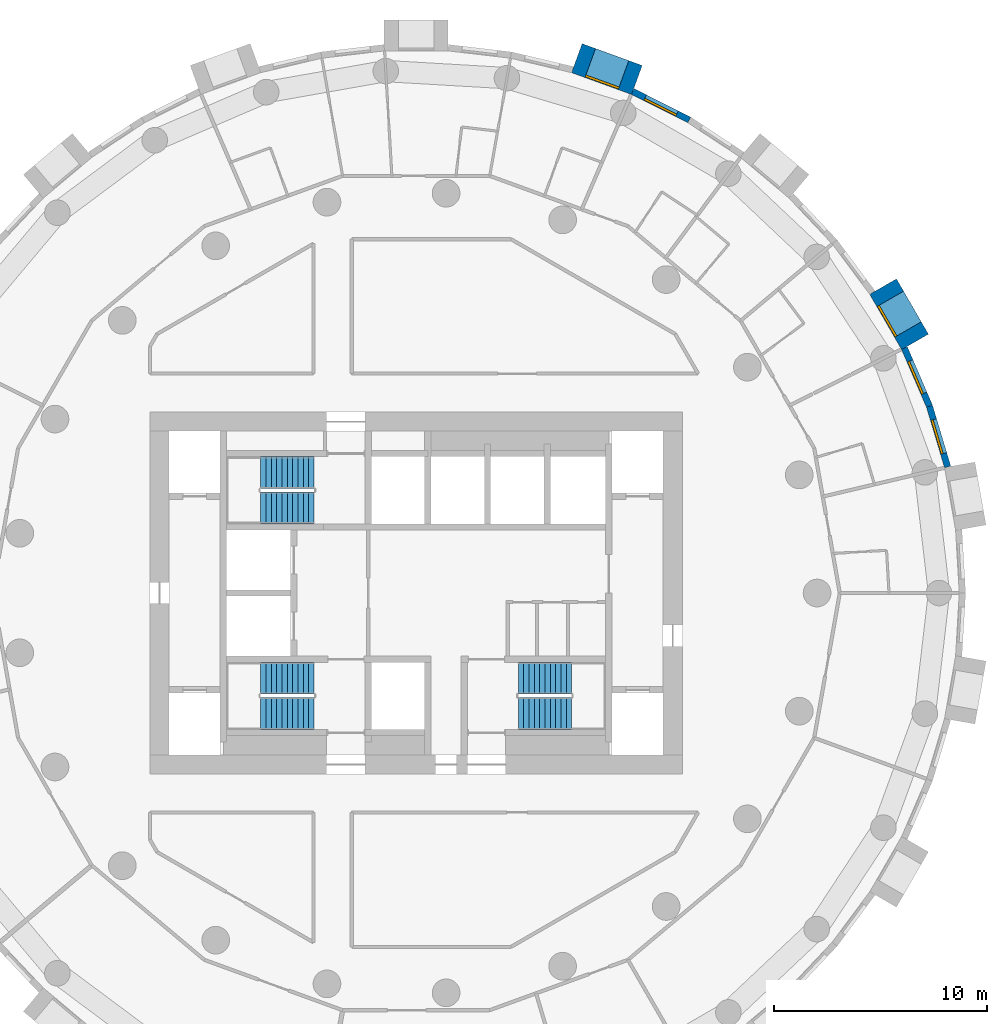
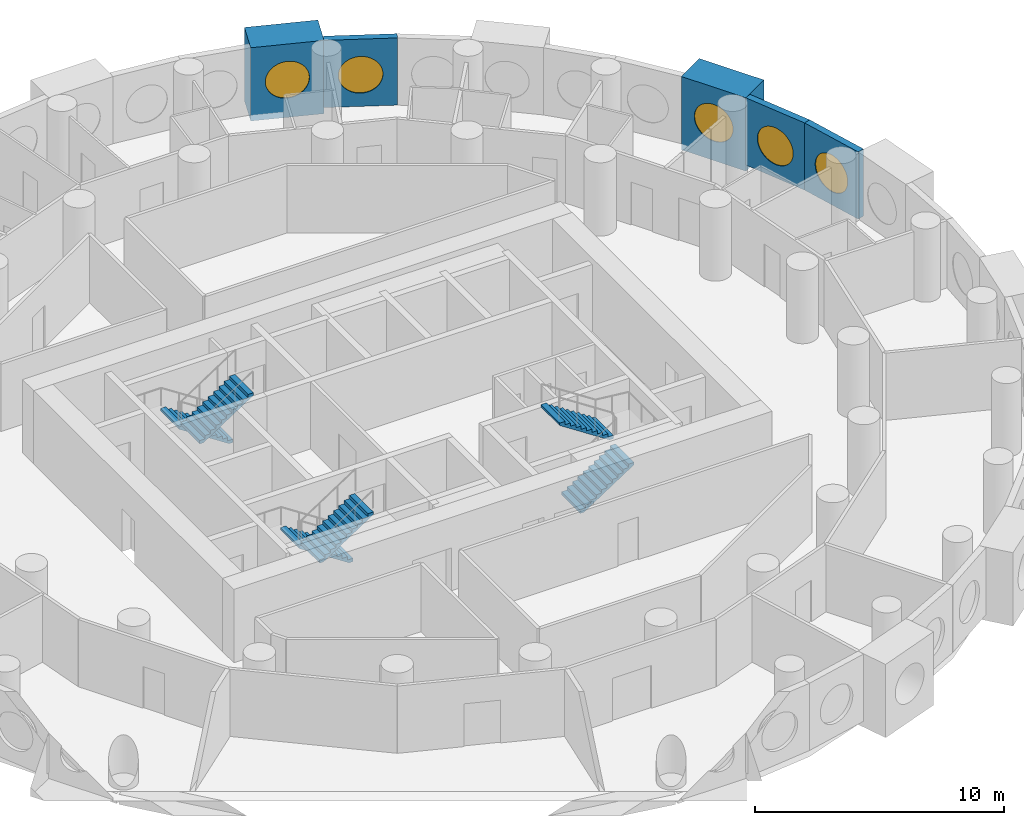
# One storey, part 8 of 9: 6 stair flights, 5 walls, 5 windows, 5 openings, 3 elements without a shape of their own.
"""IFC4 building model written with IfcOpenShell, lengths in metres."""

from ifc_helpers import new_model, si_unit, direction, frame, frame_2d, origin, origin_2d, place, context, subcontext, project, spatial, polyline, rectangle, circle, outline, extrude, material, layer, layer_set, type_object, element, fill, aggregate, save


model = new_model("IFC4")

# Units and contexts
model_context = context("Model", 3, precision=1e-05, world=origin(), true_north=direction((0.0, 1.0)))
body_context = subcontext(model_context, "Body", "Model", "MODEL_VIEW")
ifc_project = project(units=[si_unit("LENGTHUNIT", "METRE"), si_unit("AREAUNIT", "SQUARE_METRE"), si_unit("VOLUMEUNIT", "CUBIC_METRE"), si_unit("PLANEANGLEUNIT", "RADIAN"), si_unit("MASSUNIT", "GRAM", prefix="KILO")], contexts=[model_context])

# Site, building, storey
site_placement = place(None, origin())
site = spatial("IfcSite", under=ifc_project, at=site_placement, CompositionType="ELEMENT")
building_placement = place(site_placement, origin())
building = spatial("IfcBuilding", under=site, at=building_placement, Name="Tracery Tower", CompositionType="ELEMENT")
storey_placement = place(building_placement, frame((0.0, 0.0, 162.0)))
storey = spatial("IfcBuildingStorey", under=building, at=storey_placement, Name="L41", CompositionType="ELEMENT", Elevation=162.0)

# Wall, opening, window
ifc_material_1 = material(Name="Precast concrete C50/60", Category="concrete")
ifc_layer_1 = layer(ifc_material_1, 1.449951171875)
ifc_layer_set_1 = layer_set([ifc_layer_1], Name="Deep-set bay unit 3000 x 3600, slab edge 300")
wall_type_1 = type_object("IfcWallType", Name="Deep-set bay unit 3000 x 3600, slab edge 300", PredefinedType="ELEMENTEDWALL", material=ifc_layer_set_1)
wall_1_placement = place(storey_placement, frame((23.421630859375, 11.79052734375, -0.300048828125), z_axis=(0.0, 0.0, 1.0), x_axis=(-0.499990139034, 0.866031096941, 0.0)))
wall_1 = element("IfcWall", 1, at=wall_1_placement, inside=storey, type_object=wall_type_1, Name="Deep-set bay unit 5 at L41", PredefinedType="ELEMENTEDWALL", context=body_context, shape_type="SweptSolid", body=[
    extrude(rectangle(XDim=3.0, YDim=1.449951171875, at=frame_2d((1.5, 0.0))), origin(), (0.0, 0.0, 1.0), 3.60009765625),
])
opening_1_placement = place(wall_1_placement, frame((1.5, 0.0, 1.85009765625)))
opening_1 = element("IfcOpeningElement", 2, at=opening_1_placement, cuts=wall_1, Name="Opening WN1", PredefinedType="OPENING", context=body_context, shape_type="SweptSolid", body=[
    extrude(circle(Radius=0.9000244140625, at=origin_2d()), frame((0.0, 0.73486328125, 0.0), z_axis=(0.0, -1.0, 0.0), x_axis=(1.0, 0.0, 0.0)), (0.0, 0.0, 1.0), 1.469970703125),
])
ifc_material_2 = material(Name="Aluminium frame with tinted double glazing", Category="aluminium")
window_type = type_object("IfcWindowType", Name="Round window 1800", PartitioningType="SINGLE_PANEL", PredefinedType="WINDOW", material=ifc_material_2)
window_1_placement = place(opening_1_placement, origin())
window_1 = element("IfcWindow", 3, at=window_1_placement, inside=storey, type_object=window_type, Name="Round window 5 at L41", OverallHeight=1.800048828125, OverallWidth=1.800048828125, PartitioningType="SINGLE_PANEL", PredefinedType="WINDOW", context=body_context, shape_type="SweptSolid", body=[
    extrude(circle(Radius=0.9000244140625, at=origin_2d()), frame((0.0, 0.69482421875, 0.0), z_axis=(0.0, -1.0, 0.0), x_axis=(1.0, 0.0, 0.0)), (0.0, 0.0, 1.0), 0.10009765625),
])
fill(opening_1, window_1)

wall_2_placement = place(storey_placement, frame((10.36328125, 24.087158203125, -0.300048828125), z_axis=(0.0, 0.0, 1.0), x_axis=(-0.939686455819, 0.342037080957, 0.0)))
wall_2 = element("IfcWall", 4, at=wall_2_placement, inside=storey, type_object=wall_type_1, Name="Deep-set bay unit 11 at L41", PredefinedType="ELEMENTEDWALL", context=body_context, shape_type="SweptSolid", body=[
    extrude(rectangle(XDim=3.0, YDim=1.449951171875, at=frame_2d((1.5, 0.0))), origin(), (0.0, 0.0, 1.0), 3.60009765625),
])
opening_2_placement = place(wall_2_placement, frame((1.5, 0.0, 1.85009765625)))
opening_2 = element("IfcOpeningElement", 5, at=opening_2_placement, cuts=wall_2, Name="Opening WN1", PredefinedType="OPENING", context=body_context, shape_type="SweptSolid", body=[
    extrude(circle(Radius=0.9000244140625, at=origin_2d()), frame((0.0, 0.73486328125, 0.0), z_axis=(0.0, -1.0, 0.0), x_axis=(1.0, 0.0, 0.0)), (0.0, 0.0, 1.0), 1.469970703125),
])
window_2_placement = place(opening_2_placement, origin())
window_2 = element("IfcWindow", 6, at=window_2_placement, inside=storey, type_object=window_type, Name="Round window 11 at L41", OverallHeight=1.800048828125, OverallWidth=1.800048828125, PartitioningType="SINGLE_PANEL", PredefinedType="WINDOW", context=body_context, shape_type="SweptSolid", body=[
    extrude(circle(Radius=0.9000244140625, at=origin_2d()), frame((0.0, 0.69482421875, 0.0), z_axis=(0.0, -1.0, 0.0), x_axis=(1.0, 0.0, 0.0)), (0.0, 0.0, 1.0), 0.10009765625),
])
fill(opening_2, window_2)

ifc_material_3 = material(Name="Precast concrete C50/60", Category="concrete")
ifc_layer_2 = layer(ifc_material_3, 0.300048828125)
ifc_layer_set_2 = layer_set([ifc_layer_2], Name="Facade panel 3000 x 3300")
wall_type_2 = type_object("IfcWallType", Name="Facade panel 3000 x 3300", PredefinedType="SOLIDWALL", material=ifc_layer_set_2)
wall_3_placement = place(storey_placement, frame((24.953369140625, 5.924072265625, 0.0), z_axis=(0.0, 0.0, 1.0), x_axis=(-0.286782750849, 0.957995643944, 0.0)))
wall_3 = element("IfcWall", 7, at=wall_3_placement, inside=storey, type_object=wall_type_2, Name="Facade panel 3 at L41", PredefinedType="SOLIDWALL", context=body_context, shape_type="SweptSolid", body=[
    extrude(rectangle(XDim=2.97265625, YDim=0.300048828125, at=frame_2d((1.486328125, 0.0))), origin(), (0.0, 0.0, 1.0), 3.300048828125),
])
opening_3_placement = place(wall_3_placement, frame((1.486328125, 0.0, 1.5498046875)))
opening_3 = element("IfcOpeningElement", 8, at=opening_3_placement, cuts=wall_3, Name="Opening WN1", PredefinedType="OPENING", context=body_context, shape_type="SweptSolid", body=[
    extrude(circle(Radius=0.9000244140625, at=origin_2d()), frame((0.0, 0.159912109375, 0.0), z_axis=(0.0, -1.0, 0.0), x_axis=(1.0, 0.0, 0.0)), (0.0, 0.0, 1.0), 0.320068359375),
])
window_3_placement = place(opening_3_placement, origin())
window_3 = element("IfcWindow", 9, at=window_3_placement, inside=storey, type_object=window_type, Name="Round window 3 at L41", OverallHeight=1.800048828125, OverallWidth=1.800048828125, PartitioningType="SINGLE_PANEL", PredefinedType="WINDOW", context=body_context, shape_type="SweptSolid", body=[
    extrude(circle(Radius=0.9000244140625, at=origin_2d()), frame((0.0, 0.1201171875, 0.0), z_axis=(0.0, -1.0, 0.0), x_axis=(1.0, 0.0, 0.0)), (0.0, 0.0, 1.0), 0.10009765625),
])
fill(opening_3, window_3)

wall_4_placement = place(storey_placement, frame((24.100830078125, 8.77197265625, 0.0), z_axis=(0.0, 0.0, 1.0), x_axis=(-0.396148129016, 0.918186614952, 0.0)))
wall_4 = element("IfcWall", 10, at=wall_4_placement, inside=storey, type_object=wall_type_2, Name="Facade panel 4 at L41", PredefinedType="SOLIDWALL", context=body_context, shape_type="SweptSolid", body=[
    extrude(rectangle(XDim=2.972900390625, YDim=0.300048828125, at=frame_2d((1.486328125, 0.0))), origin(), (0.0, 0.0, 1.0), 3.300048828125),
])
opening_4_placement = place(wall_4_placement, frame((1.486328125, 0.0, 1.5498046875)))
opening_4 = element("IfcOpeningElement", 11, at=opening_4_placement, cuts=wall_4, Name="Opening WN1", PredefinedType="OPENING", context=body_context, shape_type="SweptSolid", body=[
    extrude(circle(Radius=0.9000244140625, at=origin_2d()), frame((0.0, 0.159912109375, 0.0), z_axis=(0.0, -1.0, 0.0), x_axis=(1.0, 0.0, 0.0)), (0.0, 0.0, 1.0), 0.320068359375),
])
window_4_placement = place(opening_4_placement, origin())
window_4 = element("IfcWindow", 12, at=window_4_placement, inside=storey, type_object=window_type, Name="Round window 4 at L41", OverallHeight=1.800048828125, OverallWidth=1.800048828125, PartitioningType="SINGLE_PANEL", PredefinedType="WINDOW", context=body_context, shape_type="SweptSolid", body=[
    extrude(circle(Radius=0.9000244140625, at=origin_2d()), frame((0.0, 0.1201171875, 0.0), z_axis=(0.0, -1.0, 0.0), x_axis=(1.0, 0.0, 0.0)), (0.0, 0.0, 1.0), 0.10009765625),
])
fill(opening_4, window_4)

wall_5_placement = place(storey_placement, frame((12.82373046875, 22.21142578125, 0.0), z_axis=(0.0, 0.0, 1.0), x_axis=(-0.893637442555, 0.448789618045, 0.0)))
wall_5 = element("IfcWall", 13, at=wall_5_placement, inside=storey, type_object=wall_type_2, Name="Facade panel 10 at L41", PredefinedType="SOLIDWALL", context=body_context, shape_type="SweptSolid", body=[
    extrude(rectangle(XDim=2.972900390625, YDim=0.300048828125, at=frame_2d((1.486328125, 0.0))), origin(), (0.0, 0.0, 1.0), 3.300048828125),
])
opening_5_placement = place(wall_5_placement, frame((1.486328125, 0.0, 1.5498046875)))
opening_5 = element("IfcOpeningElement", 14, at=opening_5_placement, cuts=wall_5, Name="Opening WN1", PredefinedType="OPENING", context=body_context, shape_type="SweptSolid", body=[
    extrude(circle(Radius=0.9000244140625, at=origin_2d()), frame((0.0, 0.159912109375, 0.0), z_axis=(0.0, -1.0, 0.0), x_axis=(1.0, 0.0, 0.0)), (0.0, 0.0, 1.0), 0.320068359375),
])
window_5_placement = place(opening_5_placement, origin())
window_5 = element("IfcWindow", 15, at=window_5_placement, inside=storey, type_object=window_type, Name="Round window 10 at L41", OverallHeight=1.800048828125, OverallWidth=1.800048828125, PartitioningType="SINGLE_PANEL", PredefinedType="WINDOW", context=body_context, shape_type="SweptSolid", body=[
    extrude(circle(Radius=0.9000244140625, at=origin_2d()), frame((0.0, 0.1201171875, 0.0), z_axis=(0.0, -1.0, 0.0), x_axis=(1.0, 0.0, 0.0)), (0.0, 0.0, 1.0), 0.10009765625),
])
fill(opening_5, window_5)

# Stair, stair flights
ifc_material_4 = material(Name="Concrete C32/40", Category="concrete")
stair_type = type_object("IfcStairType", Name="Core stair 22 risers", PredefinedType="HALF_TURN_STAIR", material=ifc_material_4)
stair_1_placement = place(storey_placement, origin())
stair_1 = element("IfcStair", 16, at=stair_1_placement, inside=storey, type_object=stair_type, Name="L41 stair ST1", PredefinedType="HALF_TURN_STAIR")
ifc_material_5 = material(Name="Concrete C32/40", Category="concrete")
stair_flight_type = type_object("IfcStairFlightType", Name="Core stair flight 11 risers", PredefinedType="STRAIGHT", material=ifc_material_5)
stair_flight_1_placement = place(storey_placement, frame((-4.800048828125, -4.0, 0.0), z_axis=(0.0, 0.0, 1.0), x_axis=(-1.0, 0.0, 0.0)))
stair_flight_1 = element("IfcStairFlight", 17, at=stair_flight_1_placement, type_object=stair_flight_type, Name="ST1 flight 1", NumberOfRisers=11, NumberOfTreads=10, PredefinedType="STRAIGHT", RiserHeight=0.163636364, TreadLength=0.25, context=body_context, shape_type="SweptSolid", body=[
    extrude(outline(polyline([(0.0, 0.0), (0.0, 0.002685546875), (0.0, 0.00537109375), (0.0, 0.008056640625), (0.0, 0.0107421875), (0.0, 0.013427734375), (0.0, 0.01611328125), (0.0, 0.018798828125), (0.0, 0.021484375), (0.0, 0.024169921875), (0.0, 0.02685546875), (0.0, 0.029541015625), (0.0, 0.0322265625), (0.0, 0.034912109375), (0.0, 0.03759765625), (0.0, 0.040283203125), (0.0, 0.04296875), (0.0, 0.045654296875), (0.0, 0.04833984375), (0.0, 0.051025390625), (0.0, 0.0537109375), (0.0, 0.056396484375), (0.0, 0.05908203125), (0.0, 0.061767578125), (0.0, 0.064453125), (0.0, 0.067138671875), (0.0, 0.06982421875), (0.0, 0.072509765625), (0.0, 0.0751953125), (0.0, 0.077880859375), (0.0, 0.08056640625), (0.0, 0.083251953125), (0.0, 0.0859375), (0.0, 0.088623046875), (0.0, 0.09130859375), (0.0, 0.093994140625), (0.0, 0.0966796875), (0.0, 0.099365234375), (0.0, 0.10205078125), (0.0, 0.104736328125), (0.0, 0.107421875), (0.0, 0.10986328125), (0.0, 0.112548828125), (0.0, 0.115234375), (0.0, 0.117919921875), (0.0, 0.12060546875), (0.0, 0.123291015625), (0.0, 0.1259765625), (0.0, 0.128662109375), (0.0, 0.13134765625), (0.0, 0.134033203125), (0.0, 0.13671875), (0.0, 0.139404296875), (0.0, 0.14208984375), (0.0, 0.144775390625), (0.0, 0.1474609375), (0.0, 0.150146484375), (0.0, 0.15283203125), (0.0, 0.155517578125), (0.0, 0.158203125), (0.0, 0.160888671875), (0.0, 0.16357421875), (0.25, 0.16357421875), (0.25, 0.327392578125), (0.5, 0.327392578125), (0.5, 0.490966796875), (0.75, 0.490966796875), (0.75, 0.654541015625), (1.0, 0.654541015625), (1.0, 0.818115234375), (1.25, 0.818115234375), (1.25, 0.98193359375), (1.5, 0.98193359375), (1.5, 1.1455078125), (1.75, 1.1455078125), (1.75, 1.30908203125), (2.0, 1.30908203125), (2.0, 1.47265625), (2.25, 1.47265625), (2.25, 1.636474609375), (2.5, 1.636474609375), (2.5, 1.634521484375), (2.5, 1.63232421875), (2.5, 1.63037109375), (2.5, 1.62841796875), (2.5, 1.62646484375), (2.5, 1.62451171875), (2.5, 1.62255859375), (2.5, 1.62060546875), (2.5, 1.61865234375), (2.5, 1.61669921875), (2.5, 1.61474609375), (2.5, 1.61279296875), (2.5, 1.61083984375), (2.5, 1.60888671875), (2.5, 1.60693359375), (2.5, 1.60498046875), (2.5, 1.60302734375), (2.5, 1.60107421875), (2.5, 1.59912109375), (2.5, 1.59716796875), (2.5, 1.59521484375), (2.5, 1.59326171875), (2.5, 1.59130859375), (2.5, 1.58935546875), (2.5, 1.58740234375), (2.5, 1.58544921875), (2.5, 1.58349609375), (2.5, 1.58154296875), (2.5, 1.57958984375), (2.5, 1.57763671875), (2.5, 1.57568359375), (2.5, 1.573486328125), (2.5, 1.571533203125), (2.5, 1.569580078125), (2.5, 1.567626953125), (2.5, 1.565673828125), (2.5, 1.563720703125), (2.5, 1.561767578125), (2.5, 1.559814453125), (2.5, 1.557861328125), (2.5, 1.555908203125), (2.5, 1.553955078125), (2.5, 1.552001953125), (2.5, 1.550048828125), (2.5, 1.548095703125), (2.5, 1.546142578125), (2.5, 1.544189453125), (2.5, 1.542236328125), (2.5, 1.540283203125), (2.5, 1.538330078125), (2.5, 1.536376953125), (2.5, 1.534423828125), (2.5, 1.532470703125), (2.5, 1.530517578125), (2.5, 1.528564453125), (2.5, 1.526611328125), (2.5, 1.524658203125), (2.5, 1.522705078125), (2.5, 1.520751953125), (2.5, 1.518798828125), (2.5, 1.516845703125), (0.182861328125, 0.0), (0.0, 0.0)])), frame((0.0, 0.75, 0.0), z_axis=(0.0, -1.0, 0.0), x_axis=(1.0, 0.0, 0.0)), (0.0, 0.0, 1.0), 1.5),
])
stair_flight_2_placement = place(storey_placement, frame((-7.300048828125, -5.64990234375, 1.800048828125), z_axis=(0.0, 0.0, 1.0), x_axis=(1.0, 0.0, 0.0)))
stair_flight_2 = element("IfcStairFlight", 18, at=stair_flight_2_placement, type_object=stair_flight_type, Name="ST1 flight 2", NumberOfRisers=11, NumberOfTreads=10, PredefinedType="STRAIGHT", RiserHeight=0.163636364, TreadLength=0.25, context=body_context, shape_type="SweptSolid", body=[
    extrude(outline(polyline([(0.0, 0.0), (0.0, 0.002685546875), (0.0, 0.00537109375), (0.0, 0.008056640625), (0.0, 0.0107421875), (0.0, 0.013427734375), (0.0, 0.01611328125), (0.0, 0.018798828125), (0.0, 0.021484375), (0.0, 0.024169921875), (0.0, 0.02685546875), (0.0, 0.029541015625), (0.0, 0.0322265625), (0.0, 0.034912109375), (0.0, 0.03759765625), (0.0, 0.040283203125), (0.0, 0.04296875), (0.0, 0.045654296875), (0.0, 0.04833984375), (0.0, 0.051025390625), (0.0, 0.0537109375), (0.0, 0.056396484375), (0.0, 0.05908203125), (0.0, 0.061767578125), (0.0, 0.064453125), (0.0, 0.067138671875), (0.0, 0.06982421875), (0.0, 0.072509765625), (0.0, 0.0751953125), (0.0, 0.077880859375), (0.0, 0.08056640625), (0.0, 0.083251953125), (0.0, 0.0859375), (0.0, 0.088623046875), (0.0, 0.09130859375), (0.0, 0.093994140625), (0.0, 0.0966796875), (0.0, 0.099365234375), (0.0, 0.10205078125), (0.0, 0.104736328125), (0.0, 0.107421875), (0.0, 0.10986328125), (0.0, 0.112548828125), (0.0, 0.115234375), (0.0, 0.117919921875), (0.0, 0.12060546875), (0.0, 0.123291015625), (0.0, 0.1259765625), (0.0, 0.128662109375), (0.0, 0.13134765625), (0.0, 0.134033203125), (0.0, 0.13671875), (0.0, 0.139404296875), (0.0, 0.14208984375), (0.0, 0.144775390625), (0.0, 0.1474609375), (0.0, 0.150146484375), (0.0, 0.15283203125), (0.0, 0.155517578125), (0.0, 0.158203125), (0.0, 0.160888671875), (0.0, 0.16357421875), (0.25, 0.16357421875), (0.25, 0.327392578125), (0.5, 0.327392578125), (0.5, 0.490966796875), (0.75, 0.490966796875), (0.75, 0.654541015625), (1.0, 0.654541015625), (1.0, 0.818115234375), (1.25, 0.818115234375), (1.25, 0.98193359375), (1.5, 0.98193359375), (1.5, 1.1455078125), (1.75, 1.1455078125), (1.75, 1.30908203125), (2.0, 1.30908203125), (2.0, 1.47265625), (2.25, 1.47265625), (2.25, 1.636474609375), (2.5, 1.636474609375), (2.5, 1.634521484375), (2.5, 1.63232421875), (2.5, 1.63037109375), (2.5, 1.62841796875), (2.5, 1.62646484375), (2.5, 1.62451171875), (2.5, 1.62255859375), (2.5, 1.62060546875), (2.5, 1.61865234375), (2.5, 1.61669921875), (2.5, 1.61474609375), (2.5, 1.61279296875), (2.5, 1.61083984375), (2.5, 1.60888671875), (2.5, 1.60693359375), (2.5, 1.60498046875), (2.5, 1.60302734375), (2.5, 1.60107421875), (2.5, 1.59912109375), (2.5, 1.59716796875), (2.5, 1.59521484375), (2.5, 1.59326171875), (2.5, 1.59130859375), (2.5, 1.58935546875), (2.5, 1.58740234375), (2.5, 1.58544921875), (2.5, 1.58349609375), (2.5, 1.58154296875), (2.5, 1.57958984375), (2.5, 1.57763671875), (2.5, 1.57568359375), (2.5, 1.573486328125), (2.5, 1.571533203125), (2.5, 1.569580078125), (2.5, 1.567626953125), (2.5, 1.565673828125), (2.5, 1.563720703125), (2.5, 1.561767578125), (2.5, 1.559814453125), (2.5, 1.557861328125), (2.5, 1.555908203125), (2.5, 1.553955078125), (2.5, 1.552001953125), (2.5, 1.550048828125), (2.5, 1.548095703125), (2.5, 1.546142578125), (2.5, 1.544189453125), (2.5, 1.542236328125), (2.5, 1.540283203125), (2.5, 1.538330078125), (2.5, 1.536376953125), (2.5, 1.534423828125), (2.5, 1.532470703125), (2.5, 1.530517578125), (2.5, 1.528564453125), (2.5, 1.526611328125), (2.5, 1.524658203125), (2.5, 1.522705078125), (2.5, 1.520751953125), (2.5, 1.518798828125), (2.5, 1.516845703125), (0.182861328125, 0.0), (0.0, 0.0)])), frame((0.0, 0.75, 0.0), z_axis=(0.0, -1.0, 0.0), x_axis=(1.0, 0.0, 0.0)), (0.0, 0.0, 1.0), 1.5),
])
aggregate(stair_1, [stair_flight_1, stair_flight_2])

stair_2_placement = place(storey_placement, origin())
stair_2 = element("IfcStair", 19, at=stair_2_placement, inside=storey, type_object=stair_type, Name="L41 stair ST3", PredefinedType="HALF_TURN_STAIR")
stair_flight_3_placement = place(storey_placement, frame((-4.800048828125, 5.64990234375, 0.0), z_axis=(0.0, 0.0, 1.0), x_axis=(-1.0, 0.0, 0.0)))
stair_flight_3 = element("IfcStairFlight", 20, at=stair_flight_3_placement, type_object=stair_flight_type, Name="ST3 flight 1", NumberOfRisers=11, NumberOfTreads=10, PredefinedType="STRAIGHT", RiserHeight=0.163636364, TreadLength=0.25, context=body_context, shape_type="SweptSolid", body=[
    extrude(outline(polyline([(0.0, 0.0), (0.0, 0.002685546875), (0.0, 0.00537109375), (0.0, 0.008056640625), (0.0, 0.0107421875), (0.0, 0.013427734375), (0.0, 0.01611328125), (0.0, 0.018798828125), (0.0, 0.021484375), (0.0, 0.024169921875), (0.0, 0.02685546875), (0.0, 0.029541015625), (0.0, 0.0322265625), (0.0, 0.034912109375), (0.0, 0.03759765625), (0.0, 0.040283203125), (0.0, 0.04296875), (0.0, 0.045654296875), (0.0, 0.04833984375), (0.0, 0.051025390625), (0.0, 0.0537109375), (0.0, 0.056396484375), (0.0, 0.05908203125), (0.0, 0.061767578125), (0.0, 0.064453125), (0.0, 0.067138671875), (0.0, 0.06982421875), (0.0, 0.072509765625), (0.0, 0.0751953125), (0.0, 0.077880859375), (0.0, 0.08056640625), (0.0, 0.083251953125), (0.0, 0.0859375), (0.0, 0.088623046875), (0.0, 0.09130859375), (0.0, 0.093994140625), (0.0, 0.0966796875), (0.0, 0.099365234375), (0.0, 0.10205078125), (0.0, 0.104736328125), (0.0, 0.107421875), (0.0, 0.10986328125), (0.0, 0.112548828125), (0.0, 0.115234375), (0.0, 0.117919921875), (0.0, 0.12060546875), (0.0, 0.123291015625), (0.0, 0.1259765625), (0.0, 0.128662109375), (0.0, 0.13134765625), (0.0, 0.134033203125), (0.0, 0.13671875), (0.0, 0.139404296875), (0.0, 0.14208984375), (0.0, 0.144775390625), (0.0, 0.1474609375), (0.0, 0.150146484375), (0.0, 0.15283203125), (0.0, 0.155517578125), (0.0, 0.158203125), (0.0, 0.160888671875), (0.0, 0.16357421875), (0.25, 0.16357421875), (0.25, 0.327392578125), (0.5, 0.327392578125), (0.5, 0.490966796875), (0.75, 0.490966796875), (0.75, 0.654541015625), (1.0, 0.654541015625), (1.0, 0.818115234375), (1.25, 0.818115234375), (1.25, 0.98193359375), (1.5, 0.98193359375), (1.5, 1.1455078125), (1.75, 1.1455078125), (1.75, 1.30908203125), (2.0, 1.30908203125), (2.0, 1.47265625), (2.25, 1.47265625), (2.25, 1.636474609375), (2.5, 1.636474609375), (2.5, 1.634521484375), (2.5, 1.63232421875), (2.5, 1.63037109375), (2.5, 1.62841796875), (2.5, 1.62646484375), (2.5, 1.62451171875), (2.5, 1.62255859375), (2.5, 1.62060546875), (2.5, 1.61865234375), (2.5, 1.61669921875), (2.5, 1.61474609375), (2.5, 1.61279296875), (2.5, 1.61083984375), (2.5, 1.60888671875), (2.5, 1.60693359375), (2.5, 1.60498046875), (2.5, 1.60302734375), (2.5, 1.60107421875), (2.5, 1.59912109375), (2.5, 1.59716796875), (2.5, 1.59521484375), (2.5, 1.59326171875), (2.5, 1.59130859375), (2.5, 1.58935546875), (2.5, 1.58740234375), (2.5, 1.58544921875), (2.5, 1.58349609375), (2.5, 1.58154296875), (2.5, 1.57958984375), (2.5, 1.57763671875), (2.5, 1.57568359375), (2.5, 1.573486328125), (2.5, 1.571533203125), (2.5, 1.569580078125), (2.5, 1.567626953125), (2.5, 1.565673828125), (2.5, 1.563720703125), (2.5, 1.561767578125), (2.5, 1.559814453125), (2.5, 1.557861328125), (2.5, 1.555908203125), (2.5, 1.553955078125), (2.5, 1.552001953125), (2.5, 1.550048828125), (2.5, 1.548095703125), (2.5, 1.546142578125), (2.5, 1.544189453125), (2.5, 1.542236328125), (2.5, 1.540283203125), (2.5, 1.538330078125), (2.5, 1.536376953125), (2.5, 1.534423828125), (2.5, 1.532470703125), (2.5, 1.530517578125), (2.5, 1.528564453125), (2.5, 1.526611328125), (2.5, 1.524658203125), (2.5, 1.522705078125), (2.5, 1.520751953125), (2.5, 1.518798828125), (2.5, 1.516845703125), (0.182861328125, 0.0), (0.0, 0.0)])), frame((0.0, 0.75, 0.0), z_axis=(0.0, -1.0, 0.0), x_axis=(1.0, 0.0, 0.0)), (0.0, 0.0, 1.0), 1.5),
])
stair_flight_4_placement = place(storey_placement, frame((-7.300048828125, 4.0, 1.800048828125), z_axis=(0.0, 0.0, 1.0), x_axis=(1.0, 0.0, 0.0)))
stair_flight_4 = element("IfcStairFlight", 21, at=stair_flight_4_placement, type_object=stair_flight_type, Name="ST3 flight 2", NumberOfRisers=11, NumberOfTreads=10, PredefinedType="STRAIGHT", RiserHeight=0.163636364, TreadLength=0.25, context=body_context, shape_type="SweptSolid", body=[
    extrude(outline(polyline([(0.0, 0.0), (0.0, 0.002685546875), (0.0, 0.00537109375), (0.0, 0.008056640625), (0.0, 0.0107421875), (0.0, 0.013427734375), (0.0, 0.01611328125), (0.0, 0.018798828125), (0.0, 0.021484375), (0.0, 0.024169921875), (0.0, 0.02685546875), (0.0, 0.029541015625), (0.0, 0.0322265625), (0.0, 0.034912109375), (0.0, 0.03759765625), (0.0, 0.040283203125), (0.0, 0.04296875), (0.0, 0.045654296875), (0.0, 0.04833984375), (0.0, 0.051025390625), (0.0, 0.0537109375), (0.0, 0.056396484375), (0.0, 0.05908203125), (0.0, 0.061767578125), (0.0, 0.064453125), (0.0, 0.067138671875), (0.0, 0.06982421875), (0.0, 0.072509765625), (0.0, 0.0751953125), (0.0, 0.077880859375), (0.0, 0.08056640625), (0.0, 0.083251953125), (0.0, 0.0859375), (0.0, 0.088623046875), (0.0, 0.09130859375), (0.0, 0.093994140625), (0.0, 0.0966796875), (0.0, 0.099365234375), (0.0, 0.10205078125), (0.0, 0.104736328125), (0.0, 0.107421875), (0.0, 0.10986328125), (0.0, 0.112548828125), (0.0, 0.115234375), (0.0, 0.117919921875), (0.0, 0.12060546875), (0.0, 0.123291015625), (0.0, 0.1259765625), (0.0, 0.128662109375), (0.0, 0.13134765625), (0.0, 0.134033203125), (0.0, 0.13671875), (0.0, 0.139404296875), (0.0, 0.14208984375), (0.0, 0.144775390625), (0.0, 0.1474609375), (0.0, 0.150146484375), (0.0, 0.15283203125), (0.0, 0.155517578125), (0.0, 0.158203125), (0.0, 0.160888671875), (0.0, 0.16357421875), (0.25, 0.16357421875), (0.25, 0.327392578125), (0.5, 0.327392578125), (0.5, 0.490966796875), (0.75, 0.490966796875), (0.75, 0.654541015625), (1.0, 0.654541015625), (1.0, 0.818115234375), (1.25, 0.818115234375), (1.25, 0.98193359375), (1.5, 0.98193359375), (1.5, 1.1455078125), (1.75, 1.1455078125), (1.75, 1.30908203125), (2.0, 1.30908203125), (2.0, 1.47265625), (2.25, 1.47265625), (2.25, 1.636474609375), (2.5, 1.636474609375), (2.5, 1.634521484375), (2.5, 1.63232421875), (2.5, 1.63037109375), (2.5, 1.62841796875), (2.5, 1.62646484375), (2.5, 1.62451171875), (2.5, 1.62255859375), (2.5, 1.62060546875), (2.5, 1.61865234375), (2.5, 1.61669921875), (2.5, 1.61474609375), (2.5, 1.61279296875), (2.5, 1.61083984375), (2.5, 1.60888671875), (2.5, 1.60693359375), (2.5, 1.60498046875), (2.5, 1.60302734375), (2.5, 1.60107421875), (2.5, 1.59912109375), (2.5, 1.59716796875), (2.5, 1.59521484375), (2.5, 1.59326171875), (2.5, 1.59130859375), (2.5, 1.58935546875), (2.5, 1.58740234375), (2.5, 1.58544921875), (2.5, 1.58349609375), (2.5, 1.58154296875), (2.5, 1.57958984375), (2.5, 1.57763671875), (2.5, 1.57568359375), (2.5, 1.573486328125), (2.5, 1.571533203125), (2.5, 1.569580078125), (2.5, 1.567626953125), (2.5, 1.565673828125), (2.5, 1.563720703125), (2.5, 1.561767578125), (2.5, 1.559814453125), (2.5, 1.557861328125), (2.5, 1.555908203125), (2.5, 1.553955078125), (2.5, 1.552001953125), (2.5, 1.550048828125), (2.5, 1.548095703125), (2.5, 1.546142578125), (2.5, 1.544189453125), (2.5, 1.542236328125), (2.5, 1.540283203125), (2.5, 1.538330078125), (2.5, 1.536376953125), (2.5, 1.534423828125), (2.5, 1.532470703125), (2.5, 1.530517578125), (2.5, 1.528564453125), (2.5, 1.526611328125), (2.5, 1.524658203125), (2.5, 1.522705078125), (2.5, 1.520751953125), (2.5, 1.518798828125), (2.5, 1.516845703125), (0.182861328125, 0.0), (0.0, 0.0)])), frame((0.0, 0.75, 0.0), z_axis=(0.0, -1.0, 0.0), x_axis=(1.0, 0.0, 0.0)), (0.0, 0.0, 1.0), 1.5),
])
aggregate(stair_2, [stair_flight_3, stair_flight_4])

stair_3_placement = place(storey_placement, origin())
stair_3 = element("IfcStair", 22, at=stair_3_placement, inside=storey, type_object=stair_type, Name="L41 stair ST2", PredefinedType="HALF_TURN_STAIR")
stair_flight_5_placement = place(storey_placement, frame((4.800048828125, -5.64990234375, 0.0), z_axis=(0.0, 0.0, 1.0), x_axis=(1.0, 0.0, 0.0)))
stair_flight_5 = element("IfcStairFlight", 23, at=stair_flight_5_placement, type_object=stair_flight_type, Name="ST2 flight 1", NumberOfRisers=11, NumberOfTreads=10, PredefinedType="STRAIGHT", RiserHeight=0.163636364, TreadLength=0.25, context=body_context, shape_type="SweptSolid", body=[
    extrude(outline(polyline([(0.0, 0.0), (0.0, 0.002685546875), (0.0, 0.00537109375), (0.0, 0.008056640625), (0.0, 0.0107421875), (0.0, 0.013427734375), (0.0, 0.01611328125), (0.0, 0.018798828125), (0.0, 0.021484375), (0.0, 0.024169921875), (0.0, 0.02685546875), (0.0, 0.029541015625), (0.0, 0.0322265625), (0.0, 0.034912109375), (0.0, 0.03759765625), (0.0, 0.040283203125), (0.0, 0.04296875), (0.0, 0.045654296875), (0.0, 0.04833984375), (0.0, 0.051025390625), (0.0, 0.0537109375), (0.0, 0.056396484375), (0.0, 0.05908203125), (0.0, 0.061767578125), (0.0, 0.064453125), (0.0, 0.067138671875), (0.0, 0.06982421875), (0.0, 0.072509765625), (0.0, 0.0751953125), (0.0, 0.077880859375), (0.0, 0.08056640625), (0.0, 0.083251953125), (0.0, 0.0859375), (0.0, 0.088623046875), (0.0, 0.09130859375), (0.0, 0.093994140625), (0.0, 0.0966796875), (0.0, 0.099365234375), (0.0, 0.10205078125), (0.0, 0.104736328125), (0.0, 0.107421875), (0.0, 0.10986328125), (0.0, 0.112548828125), (0.0, 0.115234375), (0.0, 0.117919921875), (0.0, 0.12060546875), (0.0, 0.123291015625), (0.0, 0.1259765625), (0.0, 0.128662109375), (0.0, 0.13134765625), (0.0, 0.134033203125), (0.0, 0.13671875), (0.0, 0.139404296875), (0.0, 0.14208984375), (0.0, 0.144775390625), (0.0, 0.1474609375), (0.0, 0.150146484375), (0.0, 0.15283203125), (0.0, 0.155517578125), (0.0, 0.158203125), (0.0, 0.160888671875), (0.0, 0.16357421875), (0.25, 0.16357421875), (0.25, 0.327392578125), (0.5, 0.327392578125), (0.5, 0.490966796875), (0.75, 0.490966796875), (0.75, 0.654541015625), (1.0, 0.654541015625), (1.0, 0.818115234375), (1.25, 0.818115234375), (1.25, 0.98193359375), (1.5, 0.98193359375), (1.5, 1.1455078125), (1.75, 1.1455078125), (1.75, 1.30908203125), (2.0, 1.30908203125), (2.0, 1.47265625), (2.25, 1.47265625), (2.25, 1.636474609375), (2.5, 1.636474609375), (2.5, 1.634521484375), (2.5, 1.63232421875), (2.5, 1.63037109375), (2.5, 1.62841796875), (2.5, 1.62646484375), (2.5, 1.62451171875), (2.5, 1.62255859375), (2.5, 1.62060546875), (2.5, 1.61865234375), (2.5, 1.61669921875), (2.5, 1.61474609375), (2.5, 1.61279296875), (2.5, 1.61083984375), (2.5, 1.60888671875), (2.5, 1.60693359375), (2.5, 1.60498046875), (2.5, 1.60302734375), (2.5, 1.60107421875), (2.5, 1.59912109375), (2.5, 1.59716796875), (2.5, 1.59521484375), (2.5, 1.59326171875), (2.5, 1.59130859375), (2.5, 1.58935546875), (2.5, 1.58740234375), (2.5, 1.58544921875), (2.5, 1.58349609375), (2.5, 1.58154296875), (2.5, 1.57958984375), (2.5, 1.57763671875), (2.5, 1.57568359375), (2.5, 1.573486328125), (2.5, 1.571533203125), (2.5, 1.569580078125), (2.5, 1.567626953125), (2.5, 1.565673828125), (2.5, 1.563720703125), (2.5, 1.561767578125), (2.5, 1.559814453125), (2.5, 1.557861328125), (2.5, 1.555908203125), (2.5, 1.553955078125), (2.5, 1.552001953125), (2.5, 1.550048828125), (2.5, 1.548095703125), (2.5, 1.546142578125), (2.5, 1.544189453125), (2.5, 1.542236328125), (2.5, 1.540283203125), (2.5, 1.538330078125), (2.5, 1.536376953125), (2.5, 1.534423828125), (2.5, 1.532470703125), (2.5, 1.530517578125), (2.5, 1.528564453125), (2.5, 1.526611328125), (2.5, 1.524658203125), (2.5, 1.522705078125), (2.5, 1.520751953125), (2.5, 1.518798828125), (2.5, 1.516845703125), (0.182861328125, 0.0), (0.0, 0.0)])), frame((0.0, 0.75, 0.0), z_axis=(0.0, -1.0, 0.0), x_axis=(1.0, 0.0, 0.0)), (0.0, 0.0, 1.0), 1.5),
])
stair_flight_6_placement = place(storey_placement, frame((7.300048828125, -4.0, 1.800048828125), z_axis=(0.0, 0.0, 1.0), x_axis=(-1.0, 0.0, 0.0)))
stair_flight_6 = element("IfcStairFlight", 24, at=stair_flight_6_placement, type_object=stair_flight_type, Name="ST2 flight 2", NumberOfRisers=11, NumberOfTreads=10, PredefinedType="STRAIGHT", RiserHeight=0.163636364, TreadLength=0.25, context=body_context, shape_type="SweptSolid", body=[
    extrude(outline(polyline([(0.0, 0.0), (0.0, 0.002685546875), (0.0, 0.00537109375), (0.0, 0.008056640625), (0.0, 0.0107421875), (0.0, 0.013427734375), (0.0, 0.01611328125), (0.0, 0.018798828125), (0.0, 0.021484375), (0.0, 0.024169921875), (0.0, 0.02685546875), (0.0, 0.029541015625), (0.0, 0.0322265625), (0.0, 0.034912109375), (0.0, 0.03759765625), (0.0, 0.040283203125), (0.0, 0.04296875), (0.0, 0.045654296875), (0.0, 0.04833984375), (0.0, 0.051025390625), (0.0, 0.0537109375), (0.0, 0.056396484375), (0.0, 0.05908203125), (0.0, 0.061767578125), (0.0, 0.064453125), (0.0, 0.067138671875), (0.0, 0.06982421875), (0.0, 0.072509765625), (0.0, 0.0751953125), (0.0, 0.077880859375), (0.0, 0.08056640625), (0.0, 0.083251953125), (0.0, 0.0859375), (0.0, 0.088623046875), (0.0, 0.09130859375), (0.0, 0.093994140625), (0.0, 0.0966796875), (0.0, 0.099365234375), (0.0, 0.10205078125), (0.0, 0.104736328125), (0.0, 0.107421875), (0.0, 0.10986328125), (0.0, 0.112548828125), (0.0, 0.115234375), (0.0, 0.117919921875), (0.0, 0.12060546875), (0.0, 0.123291015625), (0.0, 0.1259765625), (0.0, 0.128662109375), (0.0, 0.13134765625), (0.0, 0.134033203125), (0.0, 0.13671875), (0.0, 0.139404296875), (0.0, 0.14208984375), (0.0, 0.144775390625), (0.0, 0.1474609375), (0.0, 0.150146484375), (0.0, 0.15283203125), (0.0, 0.155517578125), (0.0, 0.158203125), (0.0, 0.160888671875), (0.0, 0.16357421875), (0.25, 0.16357421875), (0.25, 0.327392578125), (0.5, 0.327392578125), (0.5, 0.490966796875), (0.75, 0.490966796875), (0.75, 0.654541015625), (1.0, 0.654541015625), (1.0, 0.818115234375), (1.25, 0.818115234375), (1.25, 0.98193359375), (1.5, 0.98193359375), (1.5, 1.1455078125), (1.75, 1.1455078125), (1.75, 1.30908203125), (2.0, 1.30908203125), (2.0, 1.47265625), (2.25, 1.47265625), (2.25, 1.636474609375), (2.5, 1.636474609375), (2.5, 1.634521484375), (2.5, 1.63232421875), (2.5, 1.63037109375), (2.5, 1.62841796875), (2.5, 1.62646484375), (2.5, 1.62451171875), (2.5, 1.62255859375), (2.5, 1.62060546875), (2.5, 1.61865234375), (2.5, 1.61669921875), (2.5, 1.61474609375), (2.5, 1.61279296875), (2.5, 1.61083984375), (2.5, 1.60888671875), (2.5, 1.60693359375), (2.5, 1.60498046875), (2.5, 1.60302734375), (2.5, 1.60107421875), (2.5, 1.59912109375), (2.5, 1.59716796875), (2.5, 1.59521484375), (2.5, 1.59326171875), (2.5, 1.59130859375), (2.5, 1.58935546875), (2.5, 1.58740234375), (2.5, 1.58544921875), (2.5, 1.58349609375), (2.5, 1.58154296875), (2.5, 1.57958984375), (2.5, 1.57763671875), (2.5, 1.57568359375), (2.5, 1.573486328125), (2.5, 1.571533203125), (2.5, 1.569580078125), (2.5, 1.567626953125), (2.5, 1.565673828125), (2.5, 1.563720703125), (2.5, 1.561767578125), (2.5, 1.559814453125), (2.5, 1.557861328125), (2.5, 1.555908203125), (2.5, 1.553955078125), (2.5, 1.552001953125), (2.5, 1.550048828125), (2.5, 1.548095703125), (2.5, 1.546142578125), (2.5, 1.544189453125), (2.5, 1.542236328125), (2.5, 1.540283203125), (2.5, 1.538330078125), (2.5, 1.536376953125), (2.5, 1.534423828125), (2.5, 1.532470703125), (2.5, 1.530517578125), (2.5, 1.528564453125), (2.5, 1.526611328125), (2.5, 1.524658203125), (2.5, 1.522705078125), (2.5, 1.520751953125), (2.5, 1.518798828125), (2.5, 1.516845703125), (0.182861328125, 0.0), (0.0, 0.0)])), frame((0.0, 0.75, 0.0), z_axis=(0.0, -1.0, 0.0), x_axis=(1.0, 0.0, 0.0)), (0.0, 0.0, 1.0), 1.5),
])
aggregate(stair_3, [stair_flight_5, stair_flight_6])

save(model, "model.ifc")
